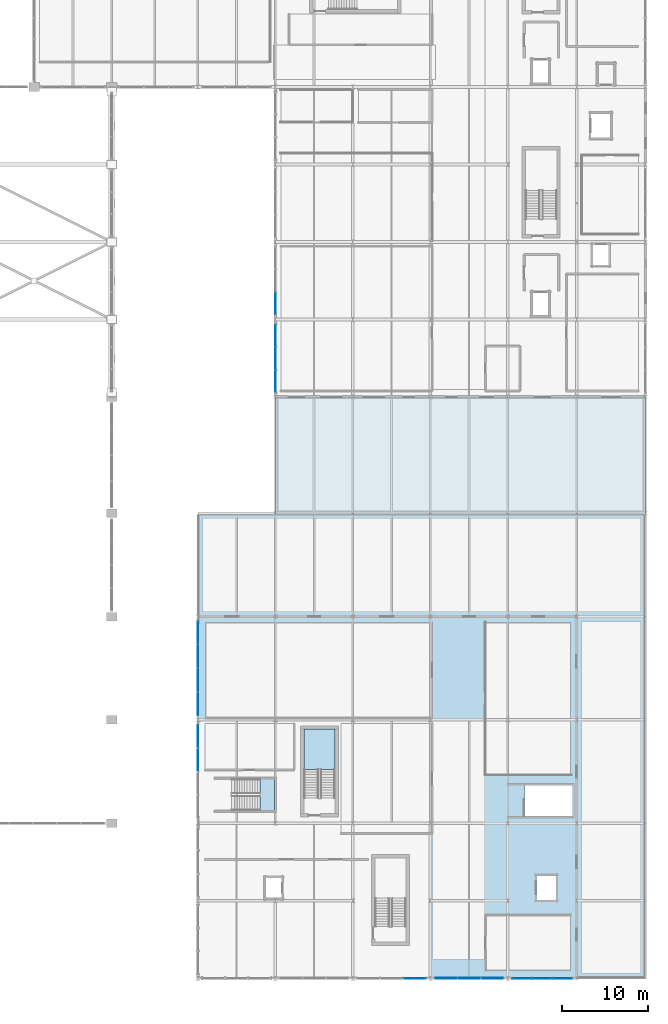
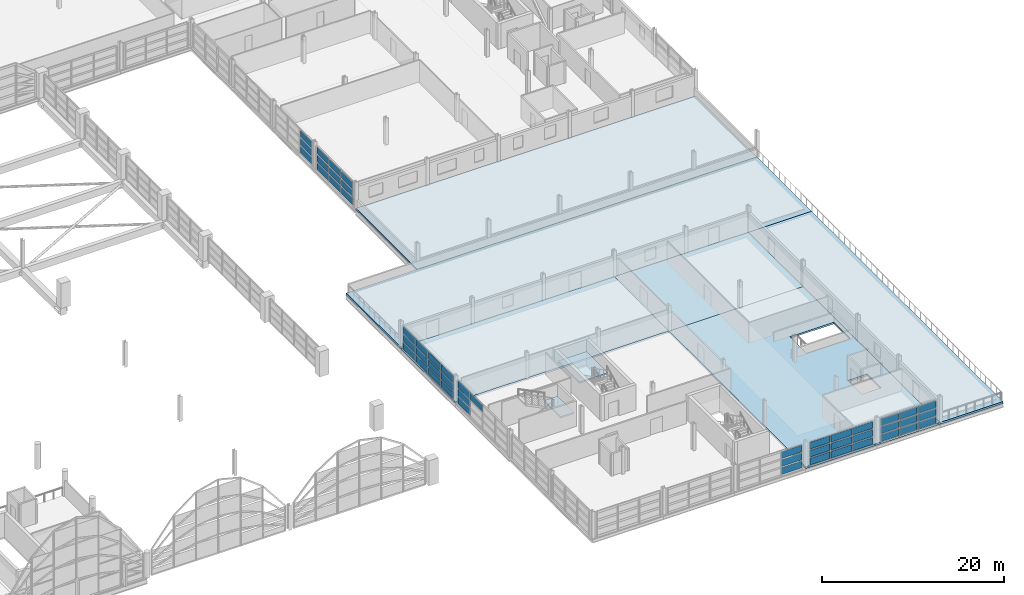
# One storey, part 94 of 116: 49 plates, 8 slabs, 9 elements without a shape of their own.
"""IFC4 building model written with IfcOpenShell, lengths in metres."""

from ifc_helpers import new_model, si_unit, direction, frame, origin, origin_2d, place, context, subcontext, project, spatial, polyline, rectangle, outline, extrude, material, layer, layer_set, type_object, element, aggregate, save


model = new_model("IFC4")

# Units and contexts
model_context = context("Model", 3, precision=1e-05, world=origin(), true_north=direction((0.0, 1.0)))
body_context = subcontext(model_context, "Body", "Model", "MODEL_VIEW")
ifc_project = project(units=[si_unit("LENGTHUNIT", "METRE"), si_unit("AREAUNIT", "SQUARE_METRE"), si_unit("VOLUMEUNIT", "CUBIC_METRE"), si_unit("PLANEANGLEUNIT", "RADIAN"), si_unit("MASSUNIT", "GRAM", prefix="KILO")], contexts=[model_context])

# Site, building, storey
site_placement = place(None, origin())
site = spatial("IfcSite", under=ifc_project, at=site_placement, CompositionType="ELEMENT")
building_placement = place(site_placement, origin())
building = spatial("IfcBuilding", under=site, at=building_placement, Name="Chuanluo Vaults Station", CompositionType="ELEMENT")
storey_placement = place(building_placement, frame((0.0, 0.0, 10.800048828125)))
storey = spatial("IfcBuildingStorey", under=building, at=storey_placement, Name="L02", CompositionType="ELEMENT", Elevation=10.800048828125)

# Curtain wall, plate
ifc_material_1 = material(Name="Anodised aluminium 6063-T6", Category="aluminium")
curtain_wall_type_1 = type_object("IfcCurtainWallType", Name="CW-SYS-23", PredefinedType="NOTDEFINED", material=ifc_material_1)
curtain_wall_1_placement = place(storey_placement, origin())
curtain_wall_1 = element("IfcCurtainWall", 1, at=curtain_wall_1_placement, inside=storey, type_object=curtain_wall_type_1, Name="Retail pavilion L02 facade CW", PredefinedType="NOTDEFINED")
ifc_material_2 = material(Name="Ceramic-fritted spandrel glass", Category="glass")
ifc_layer_1 = layer(ifc_material_2, 0.06396484375)
ifc_layer_set_1 = layer_set([ifc_layer_1], Name="Ceramic-fritted spandrel glass")
plate_type_1 = type_object("IfcPlateType", Name="CWP-SPN-42", PredefinedType="SHEET", material=ifc_layer_set_1)
plate_1_placement = place(storey_placement, frame((136.0, 28.143798828125, 0.079833984375), z_axis=(0.0, 0.0, 1.0), x_axis=(0.0, 1.0, 0.0)))
plate_1 = element("IfcPlate", 2, at=plate_1_placement, type_object=plate_type_1, Name="Retail pavilion L02 facade CW glazed panel 4.1", PredefinedType="SHEET", context=body_context, shape_type="SweptSolid", body=[
    extrude(rectangle(XDim=2.6025390625, YDim=0.06396484375, at=origin_2d()), origin(), (0.0, 0.0, 1.0), 0.90673828125),
])

ifc_material_3 = material(Name="Anodised aluminium 6063-T6", Category="aluminium")
curtain_wall_type_2 = type_object("IfcCurtainWallType", Name="CW-SYS-27", PredefinedType="NOTDEFINED", material=ifc_material_3)
curtain_wall_2_placement = place(storey_placement, origin())
curtain_wall_2 = element("IfcCurtainWall", 3, at=curtain_wall_2_placement, inside=storey, type_object=curtain_wall_type_2, Name="Retail pavilion L02 facade CW", PredefinedType="NOTDEFINED")
plate_2_placement = place(storey_placement, frame((161.183349609375, 0.0, 0.079833984375), z_axis=(0.0, 0.0, 1.0), x_axis=(-1.0, 0.0, 0.0)))
plate_2 = element("IfcPlate", 4, at=plate_2_placement, type_object=plate_type_1, Name="Retail pavilion L02 facade CW glazed panel 1.1", PredefinedType="SHEET", context=body_context, shape_type="SweptSolid", body=[
    extrude(rectangle(XDim=2.523193359375, YDim=0.06396484375, at=origin_2d()), origin(), (0.0, 0.0, 1.0), 0.90673828125),
])

# Curtain wall, plates
ifc_material_4 = material(Name="Anodised aluminium 6063-T6", Category="aluminium")
curtain_wall_type_3 = type_object("IfcCurtainWallType", Name="CW-SYS-01", PredefinedType="NOTDEFINED", material=ifc_material_4)
curtain_wall_3_placement = place(storey_placement, origin())
curtain_wall_3 = element("IfcCurtainWall", 5, at=curtain_wall_3_placement, inside=storey, type_object=curtain_wall_type_3, Name="Retail pavilion L02 facade CW", PredefinedType="NOTDEFINED")
plate_3_placement = place(storey_placement, frame((178.35009765625, 0.0, 0.079833984375), z_axis=(0.0, 0.0, 1.0), x_axis=(-1.0, 0.0, 0.0)))
plate_3 = element("IfcPlate", 6, at=plate_3_placement, type_object=plate_type_1, Name="Retail pavilion L02 facade CW glazed panel 1.1", PredefinedType="SHEET", context=body_context, shape_type="SweptSolid", body=[
    extrude(rectangle(XDim=2.18994140625, YDim=0.06396484375, at=origin_2d()), origin(), (0.0, 0.0, 1.0), 0.90673828125),
])
plate_4_placement = place(storey_placement, frame((176.0, 0.0, 0.079833984375), z_axis=(0.0, 0.0, 1.0), x_axis=(-1.0, 0.0, 0.0)))
plate_4 = element("IfcPlate", 7, at=plate_4_placement, type_object=plate_type_1, Name="Retail pavilion L02 facade CW glazed panel 2.1", PredefinedType="SHEET", context=body_context, shape_type="SweptSolid", body=[
    extrude(rectangle(XDim=2.18994140625, YDim=0.06396484375, at=origin_2d()), origin(), (0.0, 0.0, 1.0), 0.90673828125),
])
plate_5_placement = place(storey_placement, frame((173.64990234375, 0.0, 0.079833984375), z_axis=(0.0, 0.0, 1.0), x_axis=(-1.0, 0.0, 0.0)))
plate_5 = element("IfcPlate", 8, at=plate_5_placement, type_object=plate_type_1, Name="Retail pavilion L02 facade CW glazed panel 3.1", PredefinedType="SHEET", context=body_context, shape_type="SweptSolid", body=[
    extrude(rectangle(XDim=2.18994140625, YDim=0.06396484375, at=origin_2d()), origin(), (0.0, 0.0, 1.0), 0.90673828125),
])

# Curtain wall, plate
ifc_material_5 = material(Name="Anodised aluminium 6063-T6", Category="aluminium")
curtain_wall_type_4 = type_object("IfcCurtainWallType", Name="CW-SYS-03", PredefinedType="NOTDEFINED", material=ifc_material_5)
curtain_wall_4_placement = place(storey_placement, origin())
curtain_wall_4 = element("IfcCurtainWall", 9, at=curtain_wall_4_placement, inside=storey, type_object=curtain_wall_type_4, Name="Operations L02 facade CW", PredefinedType="NOTDEFINED")
plate_6_placement = place(storey_placement, frame((145.0, 78.35009765625, 0.079833984375), z_axis=(0.0, 0.0, 1.0), x_axis=(0.0, 1.0, 0.0)))
plate_6 = element("IfcPlate", 10, at=plate_6_placement, type_object=plate_type_1, Name="Operations L02 facade CW glazed panel 1.1", PredefinedType="SHEET", context=body_context, shape_type="SweptSolid", body=[
    extrude(rectangle(XDim=2.489990234375, YDim=0.06396484375, at=origin_2d()), origin(), (0.0, 0.0, 1.0), 0.90673828125),
])

# Curtain wall, plates
ifc_material_6 = material(Name="Anodised aluminium 6063-T6", Category="aluminium")
curtain_wall_type_5 = type_object("IfcCurtainWallType", Name="CW-SYS-24", PredefinedType="NOTDEFINED", material=ifc_material_6)
curtain_wall_5_placement = place(storey_placement, origin())
curtain_wall_5 = element("IfcCurtainWall", 11, at=curtain_wall_5_placement, inside=storey, type_object=curtain_wall_type_5, Name="Retail pavilion L02 facade CW", PredefinedType="NOTDEFINED")
ifc_material_7 = material(Name="Ceramic-fritted spandrel glass", Category="glass")
ifc_layer_2 = layer(ifc_material_7, 0.070068359375)
ifc_layer_set_2 = layer_set([ifc_layer_2], Name="Ceramic-fritted spandrel glass")
plate_type_2 = type_object("IfcPlateType", Name="CWP-SPN-50", PredefinedType="SHEET", material=ifc_layer_set_2)
plate_7_placement = place(storey_placement, frame((136.0, 31.856201171875, 0.079833984375), z_axis=(0.0, 0.0, 1.0), x_axis=(0.0, 1.0, 0.0)))
plate_7 = element("IfcPlate", 12, at=plate_7_placement, type_object=plate_type_2, Name="Retail pavilion L02 facade CW glazed panel 1.1", PredefinedType="SHEET", context=body_context, shape_type="SweptSolid", body=[
    extrude(rectangle(XDim=2.6025390625, YDim=0.070068359375, at=origin_2d()), origin(), (0.0, 0.0, 1.0), 0.90673828125),
])
plate_8_placement = place(storey_placement, frame((136.0, 34.61865234375, 0.079833984375), z_axis=(0.0, 0.0, 1.0), x_axis=(0.0, 1.0, 0.0)))
plate_8 = element("IfcPlate", 13, at=plate_8_placement, type_object=plate_type_2, Name="Retail pavilion L02 facade CW glazed panel 2.1", PredefinedType="SHEET", context=body_context, shape_type="SweptSolid", body=[
    extrude(rectangle(XDim=2.6025390625, YDim=0.070068359375, at=origin_2d()), origin(), (0.0, 0.0, 1.0), 0.90673828125),
])
plate_9_placement = place(storey_placement, frame((136.0, 37.38134765625, 0.079833984375), z_axis=(0.0, 0.0, 1.0), x_axis=(0.0, 1.0, 0.0)))
plate_9 = element("IfcPlate", 14, at=plate_9_placement, type_object=plate_type_2, Name="Retail pavilion L02 facade CW glazed panel 3.1", PredefinedType="SHEET", context=body_context, shape_type="SweptSolid", body=[
    extrude(rectangle(XDim=2.6025390625, YDim=0.070068359375, at=origin_2d()), origin(), (0.0, 0.0, 1.0), 0.90673828125),
])
plate_10_placement = place(storey_placement, frame((136.0, 40.143798828125, 0.079833984375), z_axis=(0.0, 0.0, 1.0), x_axis=(0.0, 1.0, 0.0)))
plate_10 = element("IfcPlate", 15, at=plate_10_placement, type_object=plate_type_2, Name="Retail pavilion L02 facade CW glazed panel 4.1", PredefinedType="SHEET", context=body_context, shape_type="SweptSolid", body=[
    extrude(rectangle(XDim=2.6025390625, YDim=0.070068359375, at=origin_2d()), origin(), (0.0, 0.0, 1.0), 0.90673828125),
])

ifc_material_8 = material(Name="Anodised aluminium 6063-T6", Category="aluminium")
curtain_wall_type_6 = type_object("IfcCurtainWallType", Name="CW-SYS-28", PredefinedType="NOTDEFINED", material=ifc_material_8)
curtain_wall_6_placement = place(storey_placement, origin())
curtain_wall_6 = element("IfcCurtainWall", 16, at=curtain_wall_6_placement, inside=storey, type_object=curtain_wall_type_6, Name="Retail pavilion L02 facade CW", PredefinedType="NOTDEFINED")
plate_11_placement = place(storey_placement, frame((170.183349609375, 0.0, 0.079833984375), z_axis=(0.0, 0.0, 1.0), x_axis=(-1.0, 0.0, 0.0)))
plate_11 = element("IfcPlate", 17, at=plate_11_placement, type_object=plate_type_2, Name="Retail pavilion L02 facade CW glazed panel 1.1", PredefinedType="SHEET", context=body_context, shape_type="SweptSolid", body=[
    extrude(rectangle(XDim=2.523193359375, YDim=0.070068359375, at=origin_2d()), origin(), (0.0, 0.0, 1.0), 0.90673828125),
])
plate_12_placement = place(storey_placement, frame((167.5, 0.0, 0.079833984375), z_axis=(0.0, 0.0, 1.0), x_axis=(-1.0, 0.0, 0.0)))
plate_12 = element("IfcPlate", 18, at=plate_12_placement, type_object=plate_type_2, Name="Retail pavilion L02 facade CW glazed panel 2.1", PredefinedType="SHEET", context=body_context, shape_type="SweptSolid", body=[
    extrude(rectangle(XDim=2.523193359375, YDim=0.070068359375, at=origin_2d()), origin(), (0.0, 0.0, 1.0), 0.90673828125),
])
plate_13_placement = place(storey_placement, frame((164.816650390625, 0.0, 0.079833984375), z_axis=(0.0, 0.0, 1.0), x_axis=(-1.0, 0.0, 0.0)))
plate_13 = element("IfcPlate", 19, at=plate_13_placement, type_object=plate_type_2, Name="Retail pavilion L02 facade CW glazed panel 3.1", PredefinedType="SHEET", context=body_context, shape_type="SweptSolid", body=[
    extrude(rectangle(XDim=2.523193359375, YDim=0.070068359375, at=origin_2d()), origin(), (0.0, 0.0, 1.0), 0.90673828125),
])

ifc_material_9 = material(Name="Anodised aluminium 6063-T6", Category="aluminium")
curtain_wall_type_7 = type_object("IfcCurtainWallType", Name="CW-SYS-02", PredefinedType="NOTDEFINED", material=ifc_material_9)
curtain_wall_7_placement = place(storey_placement, origin())
curtain_wall_7 = element("IfcCurtainWall", 20, at=curtain_wall_7_placement, inside=storey, type_object=curtain_wall_type_7, Name="Operations L02 facade CW", PredefinedType="NOTDEFINED")
plate_14_placement = place(storey_placement, frame((145.0, 69.35009765625, 0.079833984375), z_axis=(0.0, 0.0, 1.0), x_axis=(0.0, 1.0, 0.0)))
plate_14 = element("IfcPlate", 21, at=plate_14_placement, type_object=plate_type_2, Name="Operations L02 facade CW glazed panel 1.1", PredefinedType="SHEET", context=body_context, shape_type="SweptSolid", body=[
    extrude(rectangle(XDim=2.489990234375, YDim=0.070068359375, at=origin_2d()), origin(), (0.0, 0.0, 1.0), 0.90673828125),
])
plate_15_placement = place(storey_placement, frame((145.0, 72.0, 0.079833984375), z_axis=(0.0, 0.0, 1.0), x_axis=(0.0, 1.0, 0.0)))
plate_15 = element("IfcPlate", 22, at=plate_15_placement, type_object=plate_type_2, Name="Operations L02 facade CW glazed panel 2.1", PredefinedType="SHEET", context=body_context, shape_type="SweptSolid", body=[
    extrude(rectangle(XDim=2.489990234375, YDim=0.070068359375, at=origin_2d()), origin(), (0.0, 0.0, 1.0), 0.90673828125),
])
plate_16_placement = place(storey_placement, frame((145.0, 74.64990234375, 0.079833984375), z_axis=(0.0, 0.0, 1.0), x_axis=(0.0, 1.0, 0.0)))
plate_16 = element("IfcPlate", 23, at=plate_16_placement, type_object=plate_type_2, Name="Operations L02 facade CW glazed panel 3.1", PredefinedType="SHEET", context=body_context, shape_type="SweptSolid", body=[
    extrude(rectangle(XDim=2.489990234375, YDim=0.070068359375, at=origin_2d()), origin(), (0.0, 0.0, 1.0), 0.90673828125),
])

# Plate
ifc_material_10 = material(Name="Double-silver Low-E laminated glass", Category="glass")
ifc_layer_3 = layer(ifc_material_10, 0.0439453125)
ifc_layer_set_3 = layer_set([ifc_layer_3], Name="Double-silver Low-E laminated glass")
plate_type_3 = type_object("IfcPlateType", Name="CWP-VIS-28", PredefinedType="CURTAIN_PANEL", material=ifc_layer_set_3)
plate_17_placement = place(storey_placement, frame((136.0, 31.856201171875, 1.146484375), z_axis=(0.0, 0.0, 1.0), x_axis=(0.0, 1.0, 0.0)))
plate_17 = element("IfcPlate", 24, at=plate_17_placement, type_object=plate_type_3, Name="Retail pavilion L02 facade CW glazed panel 1.2", PredefinedType="CURTAIN_PANEL", context=body_context, shape_type="SweptSolid", body=[
    extrude(rectangle(XDim=2.6025390625, YDim=0.0439453125, at=origin_2d()), origin(), (0.0, 0.0, 1.0), 0.906494140625),
])

plate_18_placement = place(storey_placement, frame((136.0, 31.856201171875, 2.213134765625), z_axis=(0.0, 0.0, 1.0), x_axis=(0.0, 1.0, 0.0)))
plate_18 = element("IfcPlate", 25, at=plate_18_placement, type_object=plate_type_3, Name="Retail pavilion L02 facade CW glazed panel 1.3", PredefinedType="CURTAIN_PANEL", context=body_context, shape_type="SweptSolid", body=[
    extrude(rectangle(XDim=2.6025390625, YDim=0.0439453125, at=origin_2d()), origin(), (0.0, 0.0, 1.0), 0.90673828125),
])

plate_19_placement = place(storey_placement, frame((136.0, 34.61865234375, 1.146484375), z_axis=(0.0, 0.0, 1.0), x_axis=(0.0, 1.0, 0.0)))
plate_19 = element("IfcPlate", 26, at=plate_19_placement, type_object=plate_type_3, Name="Retail pavilion L02 facade CW glazed panel 2.2", PredefinedType="CURTAIN_PANEL", context=body_context, shape_type="SweptSolid", body=[
    extrude(rectangle(XDim=2.6025390625, YDim=0.0439453125, at=origin_2d()), origin(), (0.0, 0.0, 1.0), 0.906494140625),
])

plate_20_placement = place(storey_placement, frame((136.0, 34.61865234375, 2.213134765625), z_axis=(0.0, 0.0, 1.0), x_axis=(0.0, 1.0, 0.0)))
plate_20 = element("IfcPlate", 27, at=plate_20_placement, type_object=plate_type_3, Name="Retail pavilion L02 facade CW glazed panel 2.3", PredefinedType="CURTAIN_PANEL", context=body_context, shape_type="SweptSolid", body=[
    extrude(rectangle(XDim=2.6025390625, YDim=0.0439453125, at=origin_2d()), origin(), (0.0, 0.0, 1.0), 0.90673828125),
])

plate_21_placement = place(storey_placement, frame((136.0, 37.38134765625, 1.146484375), z_axis=(0.0, 0.0, 1.0), x_axis=(0.0, 1.0, 0.0)))
plate_21 = element("IfcPlate", 28, at=plate_21_placement, type_object=plate_type_3, Name="Retail pavilion L02 facade CW glazed panel 3.2", PredefinedType="CURTAIN_PANEL", context=body_context, shape_type="SweptSolid", body=[
    extrude(rectangle(XDim=2.6025390625, YDim=0.0439453125, at=origin_2d()), origin(), (0.0, 0.0, 1.0), 0.906494140625),
])

plate_22_placement = place(storey_placement, frame((136.0, 37.38134765625, 2.213134765625), z_axis=(0.0, 0.0, 1.0), x_axis=(0.0, 1.0, 0.0)))
plate_22 = element("IfcPlate", 29, at=plate_22_placement, type_object=plate_type_3, Name="Retail pavilion L02 facade CW glazed panel 3.3", PredefinedType="CURTAIN_PANEL", context=body_context, shape_type="SweptSolid", body=[
    extrude(rectangle(XDim=2.6025390625, YDim=0.0439453125, at=origin_2d()), origin(), (0.0, 0.0, 1.0), 0.90673828125),
])

plate_23_placement = place(storey_placement, frame((136.0, 40.143798828125, 1.146484375), z_axis=(0.0, 0.0, 1.0), x_axis=(0.0, 1.0, 0.0)))
plate_23 = element("IfcPlate", 30, at=plate_23_placement, type_object=plate_type_3, Name="Retail pavilion L02 facade CW glazed panel 4.2", PredefinedType="CURTAIN_PANEL", context=body_context, shape_type="SweptSolid", body=[
    extrude(rectangle(XDim=2.6025390625, YDim=0.0439453125, at=origin_2d()), origin(), (0.0, 0.0, 1.0), 0.906494140625),
])

plate_24_placement = place(storey_placement, frame((136.0, 40.143798828125, 2.213134765625), z_axis=(0.0, 0.0, 1.0), x_axis=(0.0, 1.0, 0.0)))
plate_24 = element("IfcPlate", 31, at=plate_24_placement, type_object=plate_type_3, Name="Retail pavilion L02 facade CW glazed panel 4.3", PredefinedType="CURTAIN_PANEL", context=body_context, shape_type="SweptSolid", body=[
    extrude(rectangle(XDim=2.6025390625, YDim=0.0439453125, at=origin_2d()), origin(), (0.0, 0.0, 1.0), 0.90673828125),
])

aggregate(curtain_wall_5, [plate_7, plate_17, plate_18, plate_8, plate_19, plate_20, plate_9, plate_21, plate_22, plate_10, plate_23, plate_24])

plate_25_placement = place(storey_placement, frame((170.183349609375, 0.0, 1.146484375), z_axis=(0.0, 0.0, 1.0), x_axis=(-1.0, 0.0, 0.0)))
plate_25 = element("IfcPlate", 32, at=plate_25_placement, type_object=plate_type_3, Name="Retail pavilion L02 facade CW glazed panel 1.2", PredefinedType="CURTAIN_PANEL", context=body_context, shape_type="SweptSolid", body=[
    extrude(rectangle(XDim=2.523193359375, YDim=0.0439453125, at=origin_2d()), origin(), (0.0, 0.0, 1.0), 0.906494140625),
])

plate_26_placement = place(storey_placement, frame((170.183349609375, 0.0, 2.213134765625), z_axis=(0.0, 0.0, 1.0), x_axis=(-1.0, 0.0, 0.0)))
plate_26 = element("IfcPlate", 33, at=plate_26_placement, type_object=plate_type_3, Name="Retail pavilion L02 facade CW glazed panel 1.3", PredefinedType="CURTAIN_PANEL", context=body_context, shape_type="SweptSolid", body=[
    extrude(rectangle(XDim=2.523193359375, YDim=0.0439453125, at=origin_2d()), origin(), (0.0, 0.0, 1.0), 0.90673828125),
])

plate_27_placement = place(storey_placement, frame((167.5, 0.0, 1.146484375), z_axis=(0.0, 0.0, 1.0), x_axis=(-1.0, 0.0, 0.0)))
plate_27 = element("IfcPlate", 34, at=plate_27_placement, type_object=plate_type_3, Name="Retail pavilion L02 facade CW glazed panel 2.2", PredefinedType="CURTAIN_PANEL", context=body_context, shape_type="SweptSolid", body=[
    extrude(rectangle(XDim=2.523193359375, YDim=0.0439453125, at=origin_2d()), origin(), (0.0, 0.0, 1.0), 0.906494140625),
])

plate_28_placement = place(storey_placement, frame((167.5, 0.0, 2.213134765625), z_axis=(0.0, 0.0, 1.0), x_axis=(-1.0, 0.0, 0.0)))
plate_28 = element("IfcPlate", 35, at=plate_28_placement, type_object=plate_type_3, Name="Retail pavilion L02 facade CW glazed panel 2.3", PredefinedType="CURTAIN_PANEL", context=body_context, shape_type="SweptSolid", body=[
    extrude(rectangle(XDim=2.523193359375, YDim=0.0439453125, at=origin_2d()), origin(), (0.0, 0.0, 1.0), 0.90673828125),
])

plate_29_placement = place(storey_placement, frame((164.816650390625, 0.0, 1.146484375), z_axis=(0.0, 0.0, 1.0), x_axis=(-1.0, 0.0, 0.0)))
plate_29 = element("IfcPlate", 36, at=plate_29_placement, type_object=plate_type_3, Name="Retail pavilion L02 facade CW glazed panel 3.2", PredefinedType="CURTAIN_PANEL", context=body_context, shape_type="SweptSolid", body=[
    extrude(rectangle(XDim=2.523193359375, YDim=0.0439453125, at=origin_2d()), origin(), (0.0, 0.0, 1.0), 0.906494140625),
])

plate_30_placement = place(storey_placement, frame((164.816650390625, 0.0, 2.213134765625), z_axis=(0.0, 0.0, 1.0), x_axis=(-1.0, 0.0, 0.0)))
plate_30 = element("IfcPlate", 37, at=plate_30_placement, type_object=plate_type_3, Name="Retail pavilion L02 facade CW glazed panel 3.3", PredefinedType="CURTAIN_PANEL", context=body_context, shape_type="SweptSolid", body=[
    extrude(rectangle(XDim=2.523193359375, YDim=0.0439453125, at=origin_2d()), origin(), (0.0, 0.0, 1.0), 0.90673828125),
])

aggregate(curtain_wall_6, [plate_11, plate_25, plate_26, plate_12, plate_27, plate_28, plate_13, plate_29, plate_30])

ifc_material_11 = material(Name="Double-silver Low-E laminated glass", Category="glass")
ifc_layer_4 = layer(ifc_material_11, 0.048095703125)
ifc_layer_set_4 = layer_set([ifc_layer_4], Name="Double-silver Low-E laminated glass")
plate_type_4 = type_object("IfcPlateType", Name="CWP-VIS-32", PredefinedType="CURTAIN_PANEL", material=ifc_layer_set_4)
plate_31_placement = place(storey_placement, frame((136.0, 25.38134765625, 2.213134765625), z_axis=(0.0, 0.0, 1.0), x_axis=(0.0, 1.0, 0.0)))
plate_31 = element("IfcPlate", 38, at=plate_31_placement, type_object=plate_type_4, Name="Retail pavilion L02 facade CW glazed panel 3.3", PredefinedType="CURTAIN_PANEL", context=body_context, shape_type="SweptSolid", body=[
    extrude(rectangle(XDim=2.6025390625, YDim=0.048095703125, at=origin_2d()), origin(), (0.0, 0.0, 1.0), 0.90673828125),
])

plate_32_placement = place(storey_placement, frame((136.0, 28.143798828125, 1.146484375), z_axis=(0.0, 0.0, 1.0), x_axis=(0.0, 1.0, 0.0)))
plate_32 = element("IfcPlate", 39, at=plate_32_placement, type_object=plate_type_4, Name="Retail pavilion L02 facade CW glazed panel 4.2", PredefinedType="CURTAIN_PANEL", context=body_context, shape_type="SweptSolid", body=[
    extrude(rectangle(XDim=2.6025390625, YDim=0.048095703125, at=origin_2d()), origin(), (0.0, 0.0, 1.0), 0.906494140625),
])

plate_33_placement = place(storey_placement, frame((136.0, 28.143798828125, 2.213134765625), z_axis=(0.0, 0.0, 1.0), x_axis=(0.0, 1.0, 0.0)))
plate_33 = element("IfcPlate", 40, at=plate_33_placement, type_object=plate_type_4, Name="Retail pavilion L02 facade CW glazed panel 4.3", PredefinedType="CURTAIN_PANEL", context=body_context, shape_type="SweptSolid", body=[
    extrude(rectangle(XDim=2.6025390625, YDim=0.048095703125, at=origin_2d()), origin(), (0.0, 0.0, 1.0), 0.90673828125),
])

aggregate(curtain_wall_1, [plate_31, plate_1, plate_32, plate_33])

plate_34_placement = place(storey_placement, frame((161.183349609375, 0.0, 1.146484375), z_axis=(0.0, 0.0, 1.0), x_axis=(-1.0, 0.0, 0.0)))
plate_34 = element("IfcPlate", 41, at=plate_34_placement, type_object=plate_type_4, Name="Retail pavilion L02 facade CW glazed panel 1.2", PredefinedType="CURTAIN_PANEL", context=body_context, shape_type="SweptSolid", body=[
    extrude(rectangle(XDim=2.523193359375, YDim=0.048095703125, at=origin_2d()), origin(), (0.0, 0.0, 1.0), 0.906494140625),
])

plate_35_placement = place(storey_placement, frame((161.183349609375, 0.0, 2.213134765625), z_axis=(0.0, 0.0, 1.0), x_axis=(-1.0, 0.0, 0.0)))
plate_35 = element("IfcPlate", 42, at=plate_35_placement, type_object=plate_type_4, Name="Retail pavilion L02 facade CW glazed panel 1.3", PredefinedType="CURTAIN_PANEL", context=body_context, shape_type="SweptSolid", body=[
    extrude(rectangle(XDim=2.523193359375, YDim=0.048095703125, at=origin_2d()), origin(), (0.0, 0.0, 1.0), 0.90673828125),
])

aggregate(curtain_wall_2, [plate_2, plate_34, plate_35])

plate_36_placement = place(storey_placement, frame((145.0, 78.35009765625, 1.146484375), z_axis=(0.0, 0.0, 1.0), x_axis=(0.0, 1.0, 0.0)))
plate_36 = element("IfcPlate", 43, at=plate_36_placement, type_object=plate_type_4, Name="Operations L02 facade CW glazed panel 1.2", PredefinedType="CURTAIN_PANEL", context=body_context, shape_type="SweptSolid", body=[
    extrude(rectangle(XDim=2.489990234375, YDim=0.048095703125, at=origin_2d()), origin(), (0.0, 0.0, 1.0), 0.906494140625),
])

plate_37_placement = place(storey_placement, frame((145.0, 78.35009765625, 2.213134765625), z_axis=(0.0, 0.0, 1.0), x_axis=(0.0, 1.0, 0.0)))
plate_37 = element("IfcPlate", 44, at=plate_37_placement, type_object=plate_type_4, Name="Operations L02 facade CW glazed panel 1.3", PredefinedType="CURTAIN_PANEL", context=body_context, shape_type="SweptSolid", body=[
    extrude(rectangle(XDim=2.489990234375, YDim=0.048095703125, at=origin_2d()), origin(), (0.0, 0.0, 1.0), 0.90673828125),
])

aggregate(curtain_wall_4, [plate_6, plate_36, plate_37])

ifc_material_12 = material(Name="Double-silver Low-E laminated glass", Category="glass")
ifc_layer_5 = layer(ifc_material_12, 0.053955078125)
ifc_layer_set_5 = layer_set([ifc_layer_5], Name="Double-silver Low-E laminated glass")
plate_type_5 = type_object("IfcPlateType", Name="CWP-VIS-36", PredefinedType="CURTAIN_PANEL", material=ifc_layer_set_5)
plate_38_placement = place(storey_placement, frame((145.0, 69.35009765625, 1.146484375), z_axis=(0.0, 0.0, 1.0), x_axis=(0.0, 1.0, 0.0)))
plate_38 = element("IfcPlate", 45, at=plate_38_placement, type_object=plate_type_5, Name="Operations L02 facade CW glazed panel 1.2", PredefinedType="CURTAIN_PANEL", context=body_context, shape_type="SweptSolid", body=[
    extrude(rectangle(XDim=2.489990234375, YDim=0.053955078125, at=origin_2d()), origin(), (0.0, 0.0, 1.0), 0.906494140625),
])

plate_39_placement = place(storey_placement, frame((145.0, 69.35009765625, 2.213134765625), z_axis=(0.0, 0.0, 1.0), x_axis=(0.0, 1.0, 0.0)))
plate_39 = element("IfcPlate", 46, at=plate_39_placement, type_object=plate_type_5, Name="Operations L02 facade CW glazed panel 1.3", PredefinedType="CURTAIN_PANEL", context=body_context, shape_type="SweptSolid", body=[
    extrude(rectangle(XDim=2.489990234375, YDim=0.053955078125, at=origin_2d()), origin(), (0.0, 0.0, 1.0), 0.90673828125),
])

plate_40_placement = place(storey_placement, frame((145.0, 72.0, 1.146484375), z_axis=(0.0, 0.0, 1.0), x_axis=(0.0, 1.0, 0.0)))
plate_40 = element("IfcPlate", 47, at=plate_40_placement, type_object=plate_type_5, Name="Operations L02 facade CW glazed panel 2.2", PredefinedType="CURTAIN_PANEL", context=body_context, shape_type="SweptSolid", body=[
    extrude(rectangle(XDim=2.489990234375, YDim=0.053955078125, at=origin_2d()), origin(), (0.0, 0.0, 1.0), 0.906494140625),
])

plate_41_placement = place(storey_placement, frame((145.0, 72.0, 2.213134765625), z_axis=(0.0, 0.0, 1.0), x_axis=(0.0, 1.0, 0.0)))
plate_41 = element("IfcPlate", 48, at=plate_41_placement, type_object=plate_type_5, Name="Operations L02 facade CW glazed panel 2.3", PredefinedType="CURTAIN_PANEL", context=body_context, shape_type="SweptSolid", body=[
    extrude(rectangle(XDim=2.489990234375, YDim=0.053955078125, at=origin_2d()), origin(), (0.0, 0.0, 1.0), 0.90673828125),
])

plate_42_placement = place(storey_placement, frame((145.0, 74.64990234375, 1.146484375), z_axis=(0.0, 0.0, 1.0), x_axis=(0.0, 1.0, 0.0)))
plate_42 = element("IfcPlate", 49, at=plate_42_placement, type_object=plate_type_5, Name="Operations L02 facade CW glazed panel 3.2", PredefinedType="CURTAIN_PANEL", context=body_context, shape_type="SweptSolid", body=[
    extrude(rectangle(XDim=2.489990234375, YDim=0.053955078125, at=origin_2d()), origin(), (0.0, 0.0, 1.0), 0.906494140625),
])

plate_43_placement = place(storey_placement, frame((145.0, 74.64990234375, 2.213134765625), z_axis=(0.0, 0.0, 1.0), x_axis=(0.0, 1.0, 0.0)))
plate_43 = element("IfcPlate", 50, at=plate_43_placement, type_object=plate_type_5, Name="Operations L02 facade CW glazed panel 3.3", PredefinedType="CURTAIN_PANEL", context=body_context, shape_type="SweptSolid", body=[
    extrude(rectangle(XDim=2.489990234375, YDim=0.053955078125, at=origin_2d()), origin(), (0.0, 0.0, 1.0), 0.90673828125),
])

aggregate(curtain_wall_7, [plate_14, plate_38, plate_39, plate_15, plate_40, plate_41, plate_16, plate_42, plate_43])

ifc_material_13 = material(Name="Double-silver Low-E laminated glass", Category="glass")
ifc_layer_6 = layer(ifc_material_13, 0.05810546875)
ifc_layer_set_6 = layer_set([ifc_layer_6], Name="Double-silver Low-E laminated glass")
plate_type_6 = type_object("IfcPlateType", Name="CWP-VIS-38", PredefinedType="CURTAIN_PANEL", material=ifc_layer_set_6)
plate_44_placement = place(storey_placement, frame((178.35009765625, 0.0, 1.146484375), z_axis=(0.0, 0.0, 1.0), x_axis=(-1.0, 0.0, 0.0)))
plate_44 = element("IfcPlate", 51, at=plate_44_placement, type_object=plate_type_6, Name="Retail pavilion L02 facade CW glazed panel 1.2", PredefinedType="CURTAIN_PANEL", context=body_context, shape_type="SweptSolid", body=[
    extrude(rectangle(XDim=2.18994140625, YDim=0.05810546875, at=origin_2d()), origin(), (0.0, 0.0, 1.0), 0.906494140625),
])

plate_45_placement = place(storey_placement, frame((178.35009765625, 0.0, 2.213134765625), z_axis=(0.0, 0.0, 1.0), x_axis=(-1.0, 0.0, 0.0)))
plate_45 = element("IfcPlate", 52, at=plate_45_placement, type_object=plate_type_6, Name="Retail pavilion L02 facade CW glazed panel 1.3", PredefinedType="CURTAIN_PANEL", context=body_context, shape_type="SweptSolid", body=[
    extrude(rectangle(XDim=2.18994140625, YDim=0.05810546875, at=origin_2d()), origin(), (0.0, 0.0, 1.0), 0.90673828125),
])

plate_46_placement = place(storey_placement, frame((176.0, 0.0, 1.146484375), z_axis=(0.0, 0.0, 1.0), x_axis=(-1.0, 0.0, 0.0)))
plate_46 = element("IfcPlate", 53, at=plate_46_placement, type_object=plate_type_6, Name="Retail pavilion L02 facade CW glazed panel 2.2", PredefinedType="CURTAIN_PANEL", context=body_context, shape_type="SweptSolid", body=[
    extrude(rectangle(XDim=2.18994140625, YDim=0.05810546875, at=origin_2d()), origin(), (0.0, 0.0, 1.0), 0.906494140625),
])

plate_47_placement = place(storey_placement, frame((176.0, 0.0, 2.213134765625), z_axis=(0.0, 0.0, 1.0), x_axis=(-1.0, 0.0, 0.0)))
plate_47 = element("IfcPlate", 54, at=plate_47_placement, type_object=plate_type_6, Name="Retail pavilion L02 facade CW glazed panel 2.3", PredefinedType="CURTAIN_PANEL", context=body_context, shape_type="SweptSolid", body=[
    extrude(rectangle(XDim=2.18994140625, YDim=0.05810546875, at=origin_2d()), origin(), (0.0, 0.0, 1.0), 0.90673828125),
])

plate_48_placement = place(storey_placement, frame((173.64990234375, 0.0, 1.146484375), z_axis=(0.0, 0.0, 1.0), x_axis=(-1.0, 0.0, 0.0)))
plate_48 = element("IfcPlate", 55, at=plate_48_placement, type_object=plate_type_6, Name="Retail pavilion L02 facade CW glazed panel 3.2", PredefinedType="CURTAIN_PANEL", context=body_context, shape_type="SweptSolid", body=[
    extrude(rectangle(XDim=2.18994140625, YDim=0.05810546875, at=origin_2d()), origin(), (0.0, 0.0, 1.0), 0.906494140625),
])

plate_49_placement = place(storey_placement, frame((173.64990234375, 0.0, 2.213134765625), z_axis=(0.0, 0.0, 1.0), x_axis=(-1.0, 0.0, 0.0)))
plate_49 = element("IfcPlate", 56, at=plate_49_placement, type_object=plate_type_6, Name="Retail pavilion L02 facade CW glazed panel 3.3", PredefinedType="CURTAIN_PANEL", context=body_context, shape_type="SweptSolid", body=[
    extrude(rectangle(XDim=2.18994140625, YDim=0.05810546875, at=origin_2d()), origin(), (0.0, 0.0, 1.0), 0.90673828125),
])

aggregate(curtain_wall_3, [plate_3, plate_44, plate_45, plate_4, plate_46, plate_47, plate_5, plate_48, plate_49])

# Stair, slab
ifc_material_14 = material(Name="Concrete C40", Category="concrete")
stair_type = type_object("IfcStairType", Name="STR-TWO-1600", PredefinedType="HALF_TURN_STAIR", material=ifc_material_14)
stair_1_placement = place(storey_placement, origin())
stair_1 = element("IfcStair", 57, at=stair_1_placement, inside=storey, type_object=stair_type, Name="L02 ST-28", PredefinedType="HALF_TURN_STAIR")
ifc_material_15 = material(Name="Concrete C40", Category="concrete")
ifc_layer_7 = layer(ifc_material_15, 0.18994140625)
ifc_layer_set_7 = layer_set([ifc_layer_7], Name="Concrete C40")
slab_type_1 = type_object("IfcSlabType", Name="SLB-LND-190", PredefinedType="LANDING", material=ifc_layer_set_7)
slab_1_placement = place(storey_placement, frame((0.0, 0.0, 1.599853515625)))
slab_1 = element("IfcSlab", 58, at=slab_1_placement, type_object=slab_type_1, Name="ST-28 landing 1", PredefinedType="LANDING", context=body_context, shape_type="SweptSolid", body=[
    extrude(outline(polyline([(143.237548828125, 19.5), (144.922607421875, 19.5), (144.922607421875, 23.1201171875), (143.237548828125, 23.1201171875), (143.237548828125, 19.5)])), origin(), (0.0, 0.0, 1.0), 0.2001953125),
])
aggregate(stair_1, [slab_1])

stair_2_placement = place(storey_placement, origin())
stair_2 = element("IfcStair", 59, at=stair_2_placement, inside=storey, type_object=stair_type, Name="L02 ST-04", PredefinedType="HALF_TURN_STAIR")
ifc_material_16 = material(Name="Concrete C40", Category="concrete")
ifc_layer_8 = layer(ifc_material_16, 0.199951171875)
ifc_layer_set_8 = layer_set([ifc_layer_8], Name="Concrete C40")
slab_type_2 = type_object("IfcSlabType", Name="SLB-LND-200", PredefinedType="LANDING", material=ifc_layer_set_8)
slab_2_placement = place(storey_placement, frame((0.0, 0.0, 1.599853515625)))
slab_2 = element("IfcSlab", 60, at=slab_2_placement, type_object=slab_type_2, Name="ST-04 landing 1", PredefinedType="LANDING", context=body_context, shape_type="SweptSolid", body=[
    extrude(outline(polyline([(151.9375, 24.237548828125), (151.9375, 28.922607421875), (148.3173828125, 28.922607421875), (148.3173828125, 24.237548828125), (151.9375, 24.237548828125)])), origin(), (0.0, 0.0, 1.0), 0.2001953125),
])
aggregate(stair_2, [slab_2])

# Slabs
ifc_material_17 = material(Name="Concrete C40", Category="concrete")
ifc_layer_9 = layer(ifc_material_17, 0.239990234375)
ifc_layer_set_9 = layer_set([ifc_layer_9], Name="Concrete C40")
slab_type_3 = type_object("IfcSlabType", Name="SLB-OPS-240", PredefinedType="FLOOR", material=ifc_layer_set_9)
slab_3_placement = place(storey_placement, frame((0.0, 0.0, -0.239990234375)))
element("IfcSlab", 61, at=slab_3_placement, inside=storey, type_object=slab_type_3, Name="L02 RET slab 02", PredefinedType="FLOOR", context=body_context, shape_type="SweptSolid", body=[
    extrude(outline(polyline([(136.0, 30.0), (163.0, 30.0), (163.0, 42.0), (136.0, 42.0), (136.0, 30.0)])), origin(), (0.0, 0.0, 1.0), 0.239990234375),
])
slab_4_placement = place(storey_placement, frame((0.0, 0.0, -0.239990234375)))
element("IfcSlab", 62, at=slab_4_placement, inside=storey, type_object=slab_type_3, Name="L02 RET slab 03", PredefinedType="FLOOR", context=body_context, shape_type="SweptSolid", body=[
    extrude(outline(polyline([(163.0, 0.0), (180.0, 0.0), (180.0, 30.0), (163.0, 30.0), (163.0, 0.0)]), holes=[polyline([(173.94140625, 18.8125), (179.5224609375, 18.8125), (179.5224609375, 22.4326171875), (173.94140625, 22.4326171875), (173.94140625, 18.8125)]), polyline([(175.280029296875, 8.97998046875), (177.719970703125, 8.97998046875), (177.719970703125, 12.02001953125), (175.280029296875, 12.02001953125), (175.280029296875, 8.97998046875)])]), origin(), (0.0, 0.0, 1.0), 0.239990234375),
])
slab_5_placement = place(storey_placement, frame((0.0, 0.0, -0.239990234375)))
element("IfcSlab", 63, at=slab_5_placement, inside=storey, type_object=slab_type_3, Name="L02 RET slab 04", PredefinedType="FLOOR", context=body_context, shape_type="SweptSolid", body=[
    extrude(outline(polyline([(163.0, 30.0), (180.0, 30.0), (180.0, 42.0), (163.0, 42.0), (163.0, 30.0)])), origin(), (0.0, 0.0, 1.0), 0.239990234375),
])
ifc_material_18 = material(Name="Concrete C40", Category="concrete")
ifc_layer_10 = layer(ifc_material_18, 0.205078125)
ifc_layer_set_10 = layer_set([ifc_layer_10], Name="Concrete C40")
slab_type_4 = type_object("IfcSlabType", Name="SLB-ROOF-205", PredefinedType="ROOF", material=ifc_layer_set_10)
slab_6_placement = place(storey_placement, frame((0.0, 0.0, -0.205078125)))
element("IfcSlab", 64, at=slab_6_placement, inside=storey, type_object=slab_type_4, Name="L02 roof slab OPSS", PredefinedType="ROOF", context=body_context, shape_type="SweptSolid", body=[
    extrude(outline(polyline([(145.0, 54.0), (188.0, 54.0), (188.0, 67.5), (145.0, 67.5), (145.0, 54.0)])), origin(), (0.0, 0.0, 1.0), 0.205078125),
])
ifc_material_19 = material(Name="Concrete C40", Category="concrete")
ifc_layer_11 = layer(ifc_material_19, 0.25)
ifc_layer_set_11 = layer_set([ifc_layer_11], Name="Concrete C40")
slab_type_5 = type_object("IfcSlabType", Name="SLB-TER-250", PredefinedType="FLOOR", material=ifc_layer_set_11)
slab_7_placement = place(storey_placement, frame((0.0, 0.0, -0.25)))
element("IfcSlab", 65, at=slab_7_placement, inside=storey, type_object=slab_type_5, Name="L02 floor slab TER-N", PredefinedType="FLOOR", context=body_context, shape_type="SweptSolid", body=[
    extrude(outline(polyline([(136.0, 42.0), (188.0, 42.0), (188.0, 54.0), (136.0, 54.0), (136.0, 42.0)])), origin(), (0.0, 0.0, 1.0), 0.25),
])
slab_8_placement = place(storey_placement, frame((0.0, 0.0, -0.25)))
element("IfcSlab", 66, at=slab_8_placement, inside=storey, type_object=slab_type_5, Name="L02 floor slab TER-E", PredefinedType="FLOOR", context=body_context, shape_type="SweptSolid", body=[
    extrude(outline(polyline([(180.0, 0.0), (188.0, 0.0), (188.0, 42.0), (180.0, 42.0), (180.0, 0.0)])), origin(), (0.0, 0.0, 1.0), 0.25),
])

save(model, "model.ifc")
